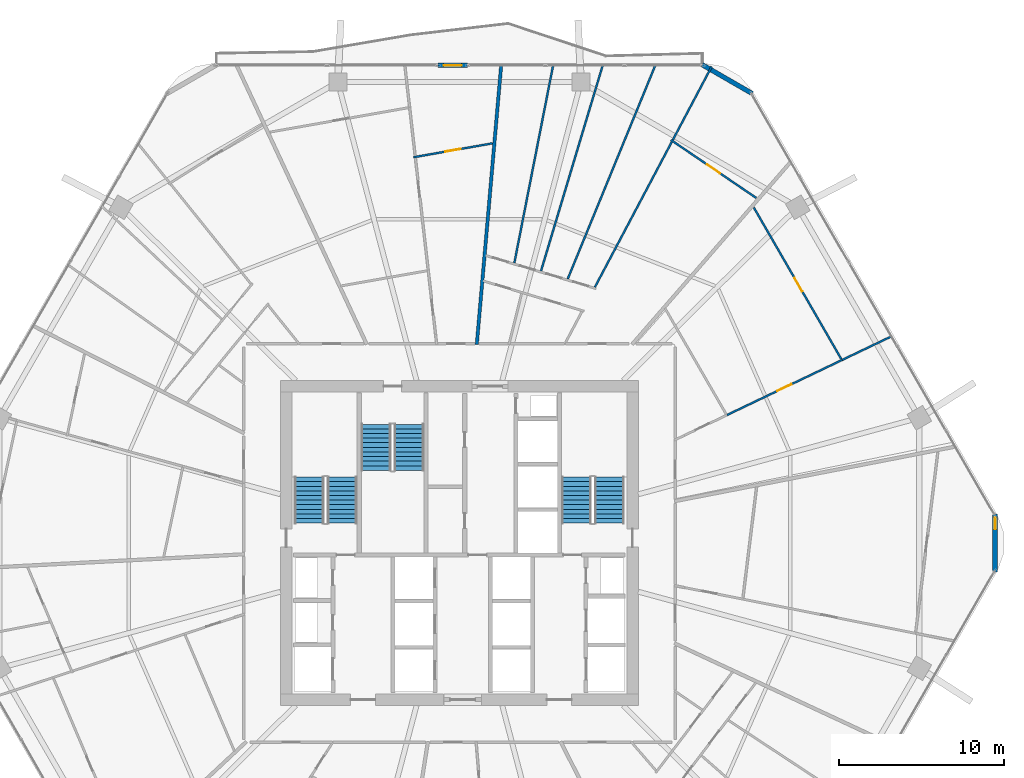
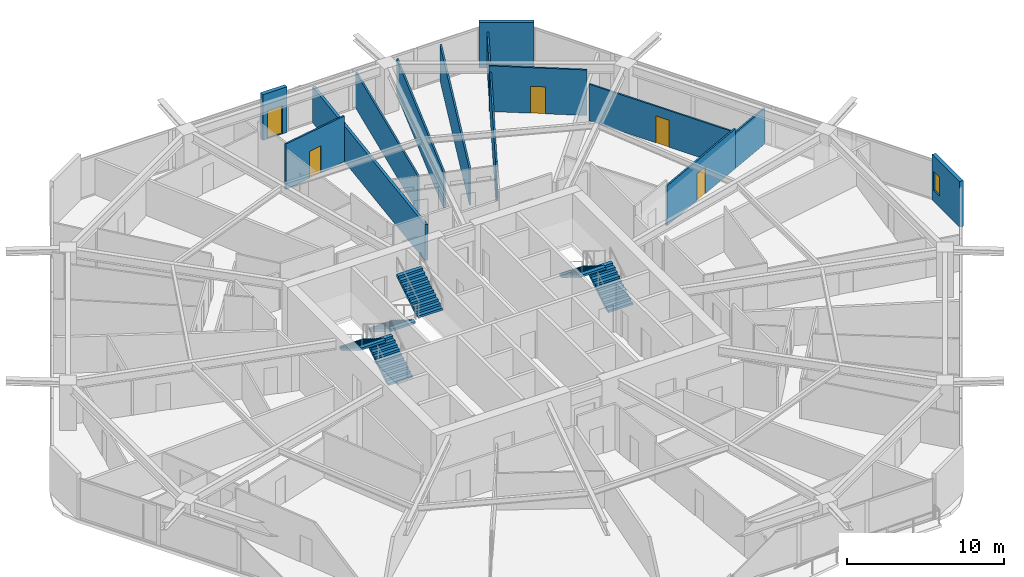
# One storey, part 29 of 33: 14 walls, 6 stair flights, 5 doors, 1 window, 6 openings, 3 elements without a shape of their own.
"""IFC4 building model written with IfcOpenShell, lengths in metres."""

from ifc_helpers import new_model, si_unit, direction, frame, frame_2d, origin, place, context, subcontext, project, spatial, polyline, rectangle, outline, extrude, material, layer, layer_set, type_object, element, fill, aggregate, save


model = new_model("IFC4")

# Units and contexts
model_context = context("Model", 3, precision=1e-05, world=origin(), true_north=direction((0.0, 1.0)))
body_context = subcontext(model_context, "Body", "Model", "MODEL_VIEW")
ifc_project = project(units=[si_unit("LENGTHUNIT", "METRE"), si_unit("AREAUNIT", "SQUARE_METRE"), si_unit("VOLUMEUNIT", "CUBIC_METRE"), si_unit("PLANEANGLEUNIT", "RADIAN"), si_unit("MASSUNIT", "GRAM", prefix="KILO")], contexts=[model_context])

# Site, building, storey
site_placement = place(None, origin())
site = spatial("IfcSite", under=ifc_project, at=site_placement, CompositionType="ELEMENT")
building_placement = place(site_placement, origin())
building = spatial("IfcBuilding", under=site, at=building_placement, Name="Zuhravey Tower", CompositionType="ELEMENT")
storey_placement = place(building_placement, frame((0.0, 0.0, 126.60009765625)))
storey = spatial("IfcBuildingStorey", under=building, at=storey_placement, Name="L31", CompositionType="ELEMENT", Elevation=126.60009765625)

# Wall, opening, door
ifc_material_1 = material(Name="Precast concrete C40/50", Category="concrete")
ifc_layer_1 = layer(ifc_material_1, 0.280029296875)
ifc_layer_set_1 = layer_set([ifc_layer_1], Name="Precast concrete C40/50")
wall_type_1 = type_object("IfcWallType", Name="Crown Architectural Wall 280", PredefinedType="SOLIDWALL", material=ifc_layer_set_1)
wall_1_placement = place(storey_placement, frame((34.697265625, 60.95849609375, 0.0), z_axis=(0.0, 0.0, 1.0), x_axis=(1.0, 0.0, 0.0)))
wall_1 = element("IfcWall", 1, at=wall_1_placement, inside=storey, type_object=wall_type_1, Name="L31 Face 2 Facade Pier EW28-1", PredefinedType="SOLIDWALL", context=body_context, shape_type="SweptSolid", body=[
    extrude(rectangle(XDim=1.7900390625, YDim=0.280029296875, at=frame_2d((0.89501953125, 0.0))), origin(), (0.0, 0.0, 1.0), 3.5498046875),
])
opening_1_placement = place(wall_1_placement, frame((0.344970703125, 0.0, 0.0)))
opening_1 = element("IfcOpeningElement", 2, at=opening_1_placement, cuts=wall_1, Name="Opening BLD1", PredefinedType="OPENING", context=body_context, shape_type="SweptSolid", body=[
    extrude(rectangle(XDim=1.10009765625, YDim=2.199951171875, at=frame_2d((0.550048828125, 1.10009765625))), frame((0.0, 0.152099609375, 0.0), z_axis=(0.0, -1.0, 0.0), x_axis=(1.0, 0.0, 0.0)), (0.0, 0.0, 1.0), 0.303955078125),
])
ifc_material_2 = material(Name="Thermally broken aluminium and low-E glass", Category="aluminium")
door_type_1 = type_object("IfcDoorType", Name="Balcony & Sky-Tray Glazed Door 1100x2200", OperationType="NOTDEFINED", PredefinedType="DOOR", material=ifc_material_2)
door_1_placement = place(opening_1_placement, frame((1.10009765625, 0.0, 0.0), z_axis=(0.0, 0.0, 1.0), x_axis=(-1.0, 0.0, 0.0)))
door_1 = element("IfcDoor", 3, at=door_1_placement, inside=storey, type_object=door_type_1, Name="L31 Face 2 Wave Balcony Door", OperationType="SINGLE_SWING_RIGHT", OverallHeight=2.199951171875, OverallWidth=1.10009765625, PredefinedType="DOOR", context=body_context, shape_type="SweptSolid", body=[
    extrude(rectangle(XDim=1.10009765625, YDim=2.199951171875, at=frame_2d((0.550048828125, 1.10009765625))), frame((0.0, 0.02490234375, 0.0), z_axis=(0.0, -1.0, 0.0), x_axis=(1.0, 0.0, 0.0)), (0.0, 0.0, 1.0), 0.050048828125),
])
fill(opening_1, door_1)

# Wall
wall_2_placement = place(storey_placement, frame((50.71728515625, 61.006103515625, 0.0), z_axis=(0.0, 0.0, 1.0), x_axis=(0.866007452331, -0.500031091541, 0.0)))
element("IfcWall", 4, at=wall_2_placement, inside=storey, type_object=wall_type_1, Name="L31 Rounded Corner Closure Wall EW28-10", PredefinedType="SOLIDWALL", context=body_context, shape_type="SweptSolid", body=[
    extrude(rectangle(XDim=3.514892578125, YDim=0.280029296875, at=frame_2d((1.75732421875, 0.0))), origin(), (0.0, 0.0, 1.0), 3.5498046875),
])

# Wall, opening, window
wall_3_placement = place(storey_placement, frame((68.478515625, 33.757568359375, 0.0), z_axis=(0.0, 0.0, 1.0), x_axis=(0.0, -1.0, 0.0)))
wall_3 = element("IfcWall", 5, at=wall_3_placement, inside=storey, type_object=wall_type_1, Name="L31 Rounded Corner Closure Wall EW28-12", PredefinedType="SOLIDWALL", context=body_context, shape_type="SweptSolid", body=[
    extrude(rectangle(XDim=3.51513671875, YDim=0.280029296875, at=frame_2d((1.757568359375, 0.0))), origin(), (0.0, 0.0, 1.0), 3.5498046875),
])
opening_2_placement = place(wall_3_placement, frame((0.18212890625, 0.0, 0.85009765625)))
opening_2 = element("IfcOpeningElement", 6, at=opening_2_placement, cuts=wall_3, Name="Opening WN5", PredefinedType="OPENING", context=body_context, shape_type="SweptSolid", body=[
    extrude(rectangle(XDim=0.75, YDim=1.5, at=frame_2d((0.375, 0.75))), frame((0.0, 0.152099609375, 0.0), z_axis=(0.0, -1.0, 0.0), x_axis=(1.0, 0.0, 0.0)), (0.0, 0.0, 1.0), 0.303955078125),
])
ifc_material_3 = material(Name="Thermally broken aluminium and triple low-E glass", Category="aluminium")
window_type = type_object("IfcWindowType", Name="Residential Corner Casement Window 750x1500", PartitioningType="SINGLE_PANEL", PredefinedType="WINDOW", material=ifc_material_3)
window_placement = place(opening_2_placement, origin())
window = element("IfcWindow", 7, at=window_placement, inside=storey, type_object=window_type, Name="L31 Corner Casement Window WN5-12.1", OverallHeight=1.5, OverallWidth=0.75, PartitioningType="SINGLE_PANEL", PredefinedType="WINDOW", context=body_context, shape_type="SweptSolid", body=[
    extrude(rectangle(XDim=0.75, YDim=1.5, at=frame_2d((0.375, 0.75))), frame((0.0, 0.030029296875, 0.0), z_axis=(0.0, -1.0, 0.0), x_axis=(1.0, 0.0, 0.0)), (0.0, 0.0, 1.0), 0.06005859375),
])
fill(opening_2, window)

# Wall
ifc_material_4 = material(Name="Gypsum double-stud party assembly")
ifc_layer_2 = layer(ifc_material_4, 0.199951171875)
ifc_layer_set_2 = layer_set([ifc_layer_2], Name="Gypsum double-stud party assembly")
wall_type_2 = type_object("IfcWallType", Name="Inter-Tenancy Party Wall 200", PredefinedType="PARTITIONING", material=ifc_layer_set_2)
wall_4_placement = place(storey_placement, frame((37.053466796875, 44.0400390625, 0.0), z_axis=(0.0, 0.0, 1.0), x_axis=(0.087144480826, 0.996195683318, 0.0)))
element("IfcWall", 8, at=wall_4_placement, inside=storey, type_object=wall_type_2, Name="L31 IW20 Partition 087", PredefinedType="PARTITIONING", context=body_context, shape_type="SweptSolid", body=[
    extrude(rectangle(XDim=16.983154296875, YDim=0.199951171875, at=frame_2d((8.49169921875, 0.0))), origin(), (0.0, 0.0, 1.0), 2.7998046875),
])

# Wall, opening, door
ifc_material_5 = material(Name="Gypsum metal-stud partition")
ifc_layer_3 = layer(ifc_material_5, 0.1201171875)
ifc_layer_set_3 = layer_set([ifc_layer_3], Name="Gypsum metal-stud partition")
wall_type_3 = type_object("IfcWallType", Name="Unit Internal Partition 120", PredefinedType="PARTITIONING", material=ifc_layer_set_3)
wall_5_placement = place(storey_placement, frame((52.232421875, 39.763427734375, 0.0), z_axis=(0.0, 0.0, 1.0), x_axis=(0.902143295933, 0.43143652326, 0.0)))
wall_5 = element("IfcWall", 9, at=wall_5_placement, inside=storey, type_object=wall_type_3, Name="L31 IW12 Partition 020", PredefinedType="PARTITIONING", context=body_context, shape_type="SweptSolid", body=[
    extrude(rectangle(XDim=7.739990234375, YDim=0.1201171875, at=frame_2d((3.8701171875, 0.0))), origin(), (0.0, 0.0, 1.0), 3.099853515625),
])
opening_3_placement = place(wall_5_placement, frame((3.3701171875, 0.0, 0.0)))
opening_3 = element("IfcOpeningElement", 10, at=opening_3_placement, cuts=wall_5, Name="Opening IND1", PredefinedType="OPENING", context=body_context, shape_type="SweptSolid", body=[
    extrude(rectangle(XDim=0.949951171875, YDim=2.10009765625, at=frame_2d((0.47509765625, 1.050048828125))), frame((0.0, 0.072021484375, 0.0), z_axis=(0.0, -1.0, 0.0), x_axis=(1.0, 0.0, 0.0)), (0.0, 0.0, 1.0), 0.14404296875),
])
ifc_material_6 = material(Name="Painted engineered timber leaf", Category="wood")
door_type_2 = type_object("IfcDoorType", Name="Internal Room & Bedroom Door 950x2100", OperationType="NOTDEFINED", PredefinedType="DOOR", material=ifc_material_6)
door_2_placement = place(opening_3_placement, origin())
door_2 = element("IfcDoor", 11, at=door_2_placement, inside=storey, type_object=door_type_2, Name="Apartment L31-01 Home Office Door", OperationType="SINGLE_SWING_RIGHT", OverallHeight=2.10009765625, OverallWidth=0.949951171875, PredefinedType="DOOR", context=body_context, shape_type="SweptSolid", body=[
    extrude(rectangle(XDim=0.949951171875, YDim=2.10009765625, at=frame_2d((0.47509765625, 1.050048828125))), frame((0.0, 0.02490234375, 0.0), z_axis=(0.0, -1.0, 0.0), x_axis=(1.0, 0.0, 0.0)), (0.0, 0.0, 1.0), 0.050048828125),
])
fill(opening_3, door_2)

wall_6_placement = place(storey_placement, frame((59.158447265625, 43.151123046875, 0.0), z_axis=(0.0, 0.0, 1.0), x_axis=(-0.500002146898, 0.866024164269, 0.0)))
wall_6 = element("IfcWall", 12, at=wall_6_placement, inside=storey, type_object=wall_type_3, Name="L31 IW12 Partition 021", PredefinedType="PARTITIONING", context=body_context, shape_type="SweptSolid", body=[
    extrude(rectangle(XDim=10.603515625, YDim=0.1201171875, at=frame_2d((5.3017578125, 0.0))), origin(), (0.0, 0.0, 1.0), 2.849853515625),
])
opening_4_placement = place(wall_6_placement, frame((4.742431640625, 0.0, 0.0)))
opening_4 = element("IfcOpeningElement", 13, at=opening_4_placement, cuts=wall_6, Name="Opening IND1", PredefinedType="OPENING", context=body_context, shape_type="SweptSolid", body=[
    extrude(rectangle(XDim=0.949951171875, YDim=2.10009765625, at=frame_2d((0.47509765625, 1.050048828125))), frame((0.0, 0.072021484375, 0.0), z_axis=(0.0, -1.0, 0.0), x_axis=(1.0, 0.0, 0.0)), (0.0, 0.0, 1.0), 0.14404296875),
])
door_3_placement = place(opening_4_placement, frame((0.949951171875, 0.0, 0.0), z_axis=(0.0, 0.0, 1.0), x_axis=(-1.0, 0.0, 0.0)))
door_3 = element("IfcDoor", 14, at=door_3_placement, inside=storey, type_object=door_type_2, Name="Apartment L31-01 Bedroom 1 Door", OperationType="SINGLE_SWING_LEFT", OverallHeight=2.10009765625, OverallWidth=0.949951171875, PredefinedType="DOOR", context=body_context, shape_type="SweptSolid", body=[
    extrude(rectangle(XDim=0.949951171875, YDim=2.10009765625, at=frame_2d((0.47509765625, 1.050048828125))), frame((0.0, 0.02490234375, 0.0), z_axis=(0.0, -1.0, 0.0), x_axis=(1.0, 0.0, 0.0)), (0.0, 0.0, 1.0), 0.050048828125),
])
fill(opening_4, door_3)

wall_7_placement = place(storey_placement, frame((54.0009765625, 52.922607421875, 0.0), z_axis=(0.0, 0.0, 1.0), x_axis=(-0.827088330425, 0.562071964854, 0.0)))
wall_7 = element("IfcWall", 15, at=wall_7_placement, inside=storey, type_object=wall_type_3, Name="L31 IW12 Partition 023", PredefinedType="PARTITIONING", context=body_context, shape_type="SweptSolid", body=[
    extrude(rectangle(XDim=6.256103515625, YDim=0.1201171875, at=frame_2d((3.1279296875, 0.0))), origin(), (0.0, 0.0, 1.0), 3.5498046875),
])
opening_5_placement = place(wall_7_placement, frame((2.653076171875, 0.0, 0.0)))
opening_5 = element("IfcOpeningElement", 16, at=opening_5_placement, cuts=wall_7, Name="Opening IND1", PredefinedType="OPENING", context=body_context, shape_type="SweptSolid", body=[
    extrude(rectangle(XDim=0.949951171875, YDim=2.10009765625, at=frame_2d((0.47509765625, 1.050048828125))), frame((0.0, 0.072021484375, 0.0), z_axis=(0.0, -1.0, 0.0), x_axis=(1.0, 0.0, 0.0)), (0.0, 0.0, 1.0), 0.14404296875),
])
door_4_placement = place(opening_5_placement, frame((0.949951171875, 0.0, 0.0), z_axis=(0.0, 0.0, 1.0), x_axis=(-1.0, 0.0, 0.0)))
door_4 = element("IfcDoor", 17, at=door_4_placement, inside=storey, type_object=door_type_2, Name="Apartment L31-02 Family Study Door", OperationType="SINGLE_SWING_LEFT", OverallHeight=2.10009765625, OverallWidth=0.949951171875, PredefinedType="DOOR", context=body_context, shape_type="SweptSolid", body=[
    extrude(rectangle(XDim=0.949951171875, YDim=2.10009765625, at=frame_2d((0.47509765625, 1.050048828125))), frame((0.0, 0.02490234375, 0.0), z_axis=(0.0, -1.0, 0.0), x_axis=(1.0, 0.0, 0.0)), (0.0, 0.0, 1.0), 0.050048828125),
])
fill(opening_5, door_4)

wall_8_placement = place(storey_placement, frame((38.007568359375, 56.234375, 0.0), z_axis=(0.0, 0.0, 1.0), x_axis=(-0.984810882198, -0.173630430239, 0.0)))
wall_8 = element("IfcWall", 18, at=wall_8_placement, inside=storey, type_object=wall_type_3, Name="L31 IW12 Partition 027", PredefinedType="PARTITIONING", context=body_context, shape_type="SweptSolid", body=[
    extrude(rectangle(XDim=4.855224609375, YDim=0.1201171875, at=frame_2d((2.427734375, 0.0))), origin(), (0.0, 0.0, 1.0), 3.5498046875),
])
opening_6_placement = place(wall_8_placement, frame((1.95263671875, 0.0, 0.0)))
opening_6 = element("IfcOpeningElement", 19, at=opening_6_placement, cuts=wall_8, Name="Opening IND1", PredefinedType="OPENING", context=body_context, shape_type="SweptSolid", body=[
    extrude(rectangle(XDim=0.949951171875, YDim=2.10009765625, at=frame_2d((0.47509765625, 1.050048828125))), frame((0.0, 0.072021484375, 0.0), z_axis=(0.0, -1.0, 0.0), x_axis=(1.0, 0.0, 0.0)), (0.0, 0.0, 1.0), 0.14404296875),
])
door_5_placement = place(opening_6_placement, frame((0.949951171875, 0.0, 0.0), z_axis=(0.0, 0.0, 1.0), x_axis=(-1.0, 0.0, 0.0)))
door_5 = element("IfcDoor", 20, at=door_5_placement, inside=storey, type_object=door_type_2, Name="Apartment L31-03 Family Study Door", OperationType="SINGLE_SWING_LEFT", OverallHeight=2.10009765625, OverallWidth=0.949951171875, PredefinedType="DOOR", context=body_context, shape_type="SweptSolid", body=[
    extrude(rectangle(XDim=0.949951171875, YDim=2.10009765625, at=frame_2d((0.47509765625, 1.050048828125))), frame((0.0, 0.02490234375, 0.0), z_axis=(0.0, -1.0, 0.0), x_axis=(1.0, 0.0, 0.0)), (0.0, 0.0, 1.0), 0.050048828125),
])
fill(opening_6, door_5)

# Walls
wall_9_placement = place(storey_placement, frame((59.215087890625, 43.102783203125, 0.0), z_axis=(0.0, 0.0, 1.0), x_axis=(0.902135467198, 0.431452892936, 0.0)))
element("IfcWall", 21, at=wall_9_placement, inside=storey, type_object=wall_type_3, Name="L31 IW12 Partition 077", PredefinedType="PARTITIONING", context=body_context, shape_type="SweptSolid", body=[
    extrude(rectangle(XDim=3.317138671875, YDim=0.1201171875, at=frame_2d((1.65869140625, 0.0))), origin(), (0.0, 0.0, 1.0), 2.7998046875),
])
wall_10_placement = place(storey_placement, frame((42.56689453125, 48.01123046875, 0.0), z_axis=(0.0, 0.0, 1.0), x_axis=(0.379443868759, 0.925214759103, 0.0)))
element("IfcWall", 22, at=wall_10_placement, inside=storey, type_object=wall_type_3, Name="L31 IW12 Partition 081", PredefinedType="PARTITIONING", context=body_context, shape_type="SweptSolid", body=[
    extrude(rectangle(XDim=14.004638671875, YDim=0.1201171875, at=frame_2d((7.00244140625, 0.0))), origin(), (0.0, 0.0, 1.0), 2.7998046875),
])
wall_11_placement = place(storey_placement, frame((40.94921875, 48.49658203125, 0.0), z_axis=(0.0, 0.0, 1.0), x_axis=(0.287356486292, 0.957823704961, 0.0)))
element("IfcWall", 23, at=wall_11_placement, inside=storey, type_object=wall_type_3, Name="L31 IW12 Partition 082", PredefinedType="PARTITIONING", context=body_context, shape_type="SweptSolid", body=[
    extrude(rectangle(XDim=13.02099609375, YDim=0.1201171875, at=frame_2d((6.510498046875, 0.0))), origin(), (0.0, 0.0, 1.0), 2.7998046875),
])
wall_12_placement = place(storey_placement, frame((39.331787109375, 48.98193359375, 0.0), z_axis=(0.0, 0.0, 1.0), x_axis=(0.192513335822, 0.98129435723, 0.0)))
element("IfcWall", 24, at=wall_12_placement, inside=storey, type_object=wall_type_3, Name="L31 IW12 Partition 083", PredefinedType="PARTITIONING", context=body_context, shape_type="SweptSolid", body=[
    extrude(rectangle(XDim=12.215087890625, YDim=0.1201171875, at=frame_2d((6.107421875, 0.0))), origin(), (0.0, 0.0, 1.0), 2.7998046875),
])
wall_13_placement = place(storey_placement, frame((44.2158203125, 47.5166015625, 0.0), z_axis=(0.0, 0.0, 1.0), x_axis=(0.467901230601, 0.883780763765, 0.0)))
element("IfcWall", 25, at=wall_13_placement, inside=storey, type_object=wall_type_3, Name="L31 IW12 Partition 085", PredefinedType="PARTITIONING", context=body_context, shape_type="SweptSolid", body=[
    extrude(rectangle(XDim=9.96337890625, YDim=0.1201171875, at=frame_2d((4.981689453125, 0.0))), origin(), (0.0, 0.0, 1.0), 3.099853515625),
])
wall_14_placement = place(storey_placement, frame((48.94189453125, 56.44287109375, 0.0), z_axis=(0.0, 0.0, 1.0), x_axis=(0.467903344083, 0.883779644819, 0.0)))
element("IfcWall", 26, at=wall_14_placement, inside=storey, type_object=wall_type_3, Name="L31 IW12 Partition 086", PredefinedType="PARTITIONING", context=body_context, shape_type="SweptSolid", body=[
    extrude(rectangle(XDim=5.025634765625, YDim=0.1201171875, at=frame_2d((2.5126953125, 0.0))), origin(), (0.0, 0.0, 1.0), 2.7998046875),
])

# Stair, stair flights
ifc_material_7 = material(Name="Concrete C40/50", Category="concrete")
stair_type = type_object("IfcStairType", Name="Housing Storey Stair Assembly 3800", PredefinedType="HALF_TURN_STAIR", material=ifc_material_7)
stair_1_placement = place(storey_placement, origin())
stair_1 = element("IfcStair", 27, at=stair_1_placement, inside=storey, type_object=stair_type, Name="L31 Core Exit Stair ST1", PredefinedType="HALF_TURN_STAIR")
stair_flight_type = type_object("IfcStairFlightType", Name="Housing Storey Stair Flight 3800", PredefinedType="STRAIGHT", material=ifc_material_7)
stair_flight_1_placement = place(storey_placement, frame((28.89990234375, 33.199951171875, 0.0), z_axis=(0.0, 0.0, 1.0), x_axis=(0.0, 1.0, 0.0)))
stair_flight_1 = element("IfcStairFlight", 28, at=stair_flight_1_placement, type_object=stair_flight_type, Name="ST1 flight 1", NumberOfRisers=11, NumberOfTreads=10, PredefinedType="STRAIGHT", RiserHeight=0.172727273, TreadLength=0.28, context=body_context, shape_type="SweptSolid", body=[
    extrude(outline(polyline([(0.0, 0.0), (0.0, 0.172607421875), (0.280029296875, 0.172607421875), (0.280029296875, 0.345458984375), (0.56005859375, 0.345458984375), (0.56005859375, 0.51806640625), (0.840087890625, 0.51806640625), (0.840087890625, 0.69091796875), (1.1201171875, 0.69091796875), (1.1201171875, 0.863525390625), (1.39990234375, 0.863525390625), (1.39990234375, 1.036376953125), (1.679931640625, 1.036376953125), (1.679931640625, 1.208984375), (1.9599609375, 1.208984375), (1.9599609375, 1.3818359375), (2.239990234375, 1.3818359375), (2.239990234375, 1.554443359375), (2.52001953125, 1.554443359375), (2.52001953125, 1.727294921875), (2.800048828125, 1.727294921875), (2.800048828125, 1.89990234375), (2.800048828125, 1.551025390625), (0.285400390625, 0.0), (0.0, 0.0)])), frame((0.0, 0.89990234375, 0.0), z_axis=(0.0, -1.0, 0.0), x_axis=(1.0, 0.0, 0.0)), (0.0, 0.0, 1.0), 1.800048828125),
])
stair_flight_2_placement = place(storey_placement, frame((26.89990234375, 36.0, 1.89990234375), z_axis=(0.0, 0.0, 1.0), x_axis=(0.0, -1.0, 0.0)))
stair_flight_2 = element("IfcStairFlight", 29, at=stair_flight_2_placement, type_object=stair_flight_type, Name="ST1 flight 2", NumberOfRisers=11, NumberOfTreads=10, PredefinedType="STRAIGHT", RiserHeight=0.172727273, TreadLength=0.28, context=body_context, shape_type="SweptSolid", body=[
    extrude(outline(polyline([(0.0, 0.0), (0.0, 0.172607421875), (0.280029296875, 0.172607421875), (0.280029296875, 0.345458984375), (0.56005859375, 0.345458984375), (0.56005859375, 0.51806640625), (0.840087890625, 0.51806640625), (0.840087890625, 0.69091796875), (1.1201171875, 0.69091796875), (1.1201171875, 0.863525390625), (1.39990234375, 0.863525390625), (1.39990234375, 1.036376953125), (1.679931640625, 1.036376953125), (1.679931640625, 1.208984375), (1.9599609375, 1.208984375), (1.9599609375, 1.3818359375), (2.239990234375, 1.3818359375), (2.239990234375, 1.554443359375), (2.52001953125, 1.554443359375), (2.52001953125, 1.727294921875), (2.800048828125, 1.727294921875), (2.800048828125, 1.89990234375), (2.800048828125, 1.551025390625), (0.285400390625, 0.0), (0.0, 0.0)])), frame((0.0, 0.89990234375, 0.0), z_axis=(0.0, -1.0, 0.0), x_axis=(1.0, 0.0, 0.0)), (0.0, 0.0, 1.0), 1.800048828125),
])
aggregate(stair_1, [stair_flight_1, stair_flight_2])

stair_2_placement = place(storey_placement, origin())
stair_2 = element("IfcStair", 30, at=stair_2_placement, inside=storey, type_object=stair_type, Name="L31 Core Exit Stair ST2", PredefinedType="HALF_TURN_STAIR")
stair_flight_3_placement = place(storey_placement, frame((45.10009765625, 33.199951171875, 0.0), z_axis=(0.0, 0.0, 1.0), x_axis=(0.0, 1.0, 0.0)))
stair_flight_3 = element("IfcStairFlight", 31, at=stair_flight_3_placement, type_object=stair_flight_type, Name="ST2 flight 1", NumberOfRisers=11, NumberOfTreads=10, PredefinedType="STRAIGHT", RiserHeight=0.172727273, TreadLength=0.28, context=body_context, shape_type="SweptSolid", body=[
    extrude(outline(polyline([(0.0, 0.0), (0.0, 0.172607421875), (0.280029296875, 0.172607421875), (0.280029296875, 0.345458984375), (0.56005859375, 0.345458984375), (0.56005859375, 0.51806640625), (0.840087890625, 0.51806640625), (0.840087890625, 0.69091796875), (1.1201171875, 0.69091796875), (1.1201171875, 0.863525390625), (1.39990234375, 0.863525390625), (1.39990234375, 1.036376953125), (1.679931640625, 1.036376953125), (1.679931640625, 1.208984375), (1.9599609375, 1.208984375), (1.9599609375, 1.3818359375), (2.239990234375, 1.3818359375), (2.239990234375, 1.554443359375), (2.52001953125, 1.554443359375), (2.52001953125, 1.727294921875), (2.800048828125, 1.727294921875), (2.800048828125, 1.89990234375), (2.800048828125, 1.551025390625), (0.285400390625, 0.0), (0.0, 0.0)])), frame((0.0, 0.89990234375, 0.0), z_axis=(0.0, -1.0, 0.0), x_axis=(1.0, 0.0, 0.0)), (0.0, 0.0, 1.0), 1.800048828125),
])
stair_flight_4_placement = place(storey_placement, frame((43.10009765625, 36.0, 1.89990234375), z_axis=(0.0, 0.0, 1.0), x_axis=(0.0, -1.0, 0.0)))
stair_flight_4 = element("IfcStairFlight", 32, at=stair_flight_4_placement, type_object=stair_flight_type, Name="ST2 flight 2", NumberOfRisers=11, NumberOfTreads=10, PredefinedType="STRAIGHT", RiserHeight=0.172727273, TreadLength=0.28, context=body_context, shape_type="SweptSolid", body=[
    extrude(outline(polyline([(0.0, 0.0), (0.0, 0.172607421875), (0.280029296875, 0.172607421875), (0.280029296875, 0.345458984375), (0.56005859375, 0.345458984375), (0.56005859375, 0.51806640625), (0.840087890625, 0.51806640625), (0.840087890625, 0.69091796875), (1.1201171875, 0.69091796875), (1.1201171875, 0.863525390625), (1.39990234375, 0.863525390625), (1.39990234375, 1.036376953125), (1.679931640625, 1.036376953125), (1.679931640625, 1.208984375), (1.9599609375, 1.208984375), (1.9599609375, 1.3818359375), (2.239990234375, 1.3818359375), (2.239990234375, 1.554443359375), (2.52001953125, 1.554443359375), (2.52001953125, 1.727294921875), (2.800048828125, 1.727294921875), (2.800048828125, 1.89990234375), (2.800048828125, 1.551025390625), (0.285400390625, 0.0), (0.0, 0.0)])), frame((0.0, 0.89990234375, 0.0), z_axis=(0.0, -1.0, 0.0), x_axis=(1.0, 0.0, 0.0)), (0.0, 0.0, 1.0), 1.800048828125),
])
aggregate(stair_2, [stair_flight_3, stair_flight_4])

stair_3_placement = place(storey_placement, origin())
stair_3 = element("IfcStair", 33, at=stair_3_placement, inside=storey, type_object=stair_type, Name="L31 Core Exit Stair ST3", PredefinedType="HALF_TURN_STAIR")
stair_flight_5_placement = place(storey_placement, frame((30.949951171875, 39.199951171875, 0.0), z_axis=(0.0, 0.0, 1.0), x_axis=(0.0, -1.0, 0.0)))
stair_flight_5 = element("IfcStairFlight", 34, at=stair_flight_5_placement, type_object=stair_flight_type, Name="ST3 flight 1", NumberOfRisers=11, NumberOfTreads=10, PredefinedType="STRAIGHT", RiserHeight=0.172727273, TreadLength=0.28, context=body_context, shape_type="SweptSolid", body=[
    extrude(outline(polyline([(0.0, 0.0), (0.0, 0.172607421875), (0.280029296875, 0.172607421875), (0.280029296875, 0.345458984375), (0.56005859375, 0.345458984375), (0.56005859375, 0.51806640625), (0.840087890625, 0.51806640625), (0.840087890625, 0.69091796875), (1.1201171875, 0.69091796875), (1.1201171875, 0.863525390625), (1.39990234375, 0.863525390625), (1.39990234375, 1.036376953125), (1.679931640625, 1.036376953125), (1.679931640625, 1.208984375), (1.9599609375, 1.208984375), (1.9599609375, 1.3818359375), (2.239990234375, 1.3818359375), (2.239990234375, 1.554443359375), (2.52001953125, 1.554443359375), (2.52001953125, 1.727294921875), (2.800048828125, 1.727294921875), (2.800048828125, 1.89990234375), (2.800048828125, 1.551025390625), (0.285400390625, 0.0), (0.0, 0.0)])), frame((0.0, 0.89990234375, 0.0), z_axis=(0.0, -1.0, 0.0), x_axis=(1.0, 0.0, 0.0)), (0.0, 0.0, 1.0), 1.800048828125),
])
stair_flight_6_placement = place(storey_placement, frame((32.949951171875, 36.39990234375, 1.89990234375), z_axis=(0.0, 0.0, 1.0), x_axis=(0.0, 1.0, 0.0)))
stair_flight_6 = element("IfcStairFlight", 35, at=stair_flight_6_placement, type_object=stair_flight_type, Name="ST3 flight 2", NumberOfRisers=11, NumberOfTreads=10, PredefinedType="STRAIGHT", RiserHeight=0.172727273, TreadLength=0.28, context=body_context, shape_type="SweptSolid", body=[
    extrude(outline(polyline([(0.0, 0.0), (0.0, 0.172607421875), (0.280029296875, 0.172607421875), (0.280029296875, 0.345458984375), (0.56005859375, 0.345458984375), (0.56005859375, 0.51806640625), (0.840087890625, 0.51806640625), (0.840087890625, 0.69091796875), (1.1201171875, 0.69091796875), (1.1201171875, 0.863525390625), (1.39990234375, 0.863525390625), (1.39990234375, 1.036376953125), (1.679931640625, 1.036376953125), (1.679931640625, 1.208984375), (1.9599609375, 1.208984375), (1.9599609375, 1.3818359375), (2.239990234375, 1.3818359375), (2.239990234375, 1.554443359375), (2.52001953125, 1.554443359375), (2.52001953125, 1.727294921875), (2.800048828125, 1.727294921875), (2.800048828125, 1.89990234375), (2.800048828125, 1.551025390625), (0.285400390625, 0.0), (0.0, 0.0)])), frame((0.0, 0.89990234375, 0.0), z_axis=(0.0, -1.0, 0.0), x_axis=(1.0, 0.0, 0.0)), (0.0, 0.0, 1.0), 1.800048828125),
])
aggregate(stair_3, [stair_flight_5, stair_flight_6])

save(model, "model.ifc")
